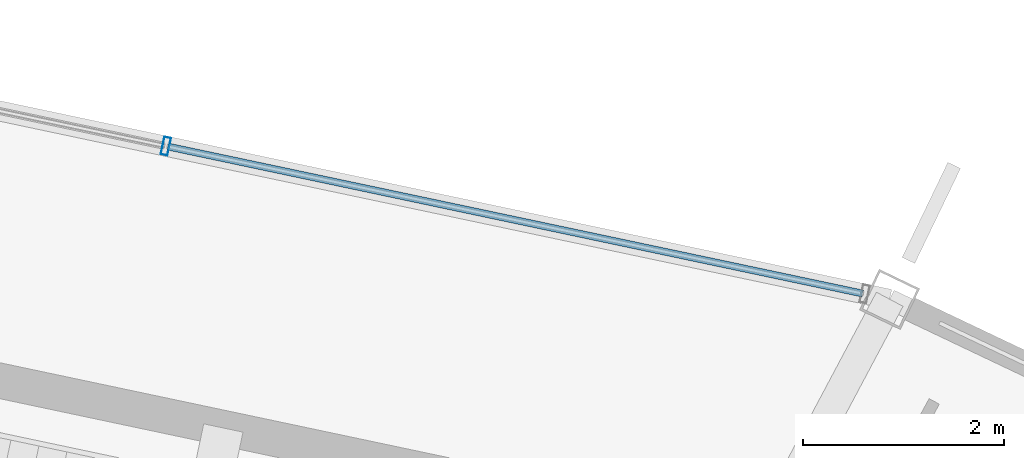
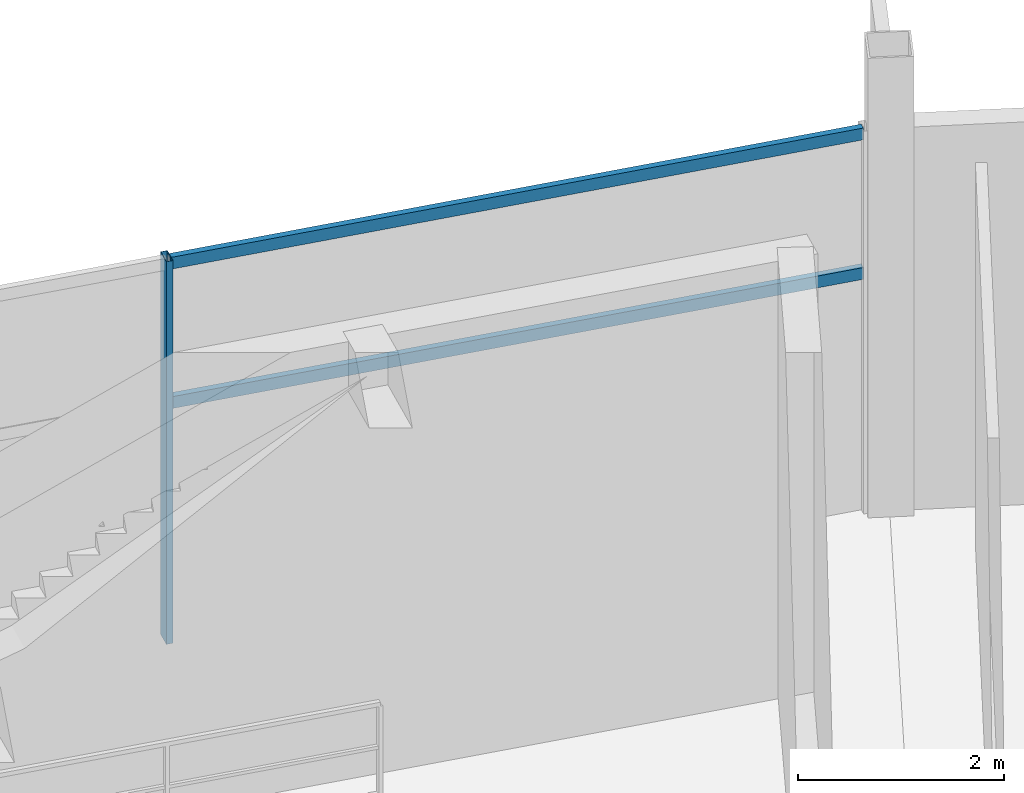
# One storey, part 119 of 186: 3 members, 1 element without a shape of its own.
"""IFC4 building model written with IfcOpenShell, lengths in metres."""

from ifc_helpers import new_model, si_unit, direction, frame, origin, origin_2d, place, context, subcontext, project, spatial, hollow_rectangle, extrude, material, layer, layer_set, material_profile, profile_set, type_object, element, aggregate, save


model = new_model("IFC4")

# Units and contexts
model_context = context("Model", 3, precision=1e-05, world=origin(), true_north=direction((0.0, 1.0)))
body_context = subcontext(model_context, "Body", "Model", "MODEL_VIEW")
ifc_project = project(units=[si_unit("LENGTHUNIT", "METRE"), si_unit("AREAUNIT", "SQUARE_METRE"), si_unit("VOLUMEUNIT", "CUBIC_METRE"), si_unit("PLANEANGLEUNIT", "RADIAN"), si_unit("MASSUNIT", "GRAM", prefix="KILO")], contexts=[model_context])

# Site, building, storey
site_placement = place(None, origin())
site = spatial("IfcSite", under=ifc_project, at=site_placement, CompositionType="ELEMENT")
building_placement = place(site_placement, origin())
building = spatial("IfcBuilding", under=site, at=building_placement, Name="Kazemori Nagisa Stadium", CompositionType="ELEMENT")
storey_placement = place(building_placement, frame((0.0, 0.0, 20.39990234375)))
storey = spatial("IfcBuildingStorey", under=building, at=storey_placement, Name="L04", CompositionType="ELEMENT", Elevation=20.39990234375)

# Curtain wall, members
ifc_material_1 = material(Name="Anodised aluminium 6063-T5", Category="aluminium")
ifc_layer = layer(ifc_material_1, 0.179931640625, Name="Anodised aluminium 6063-T5", Category="aluminium")
ifc_layer_set = layer_set([ifc_layer], Name="Anodised aluminium 6063-T5")
curtain_wall_type = type_object("IfcCurtainWallType", Name="CW_L04R3_107", PredefinedType="USERDEFINED", material=ifc_layer_set)
curtain_wall_placement = place(storey_placement, origin())
curtain_wall = element("IfcCurtainWall", 1, at=curtain_wall_placement, inside=storey, type_object=curtain_wall_type, Name="Unitised curtain wall CW-L04R3-107 L04", ObjectType="UNITISED CURTAIN WALL", PredefinedType="USERDEFINED")
ifc_material_2 = material(Name="Aluminium 6063-T5 anodised", Category="aluminium")
ifc_material_profile_1 = material_profile(ifc_material_2, hollow_rectangle(XDim=0.070068359375, YDim=0.179931640625, WallThickness=0.00390625, at=origin_2d()), Name="ALU-MULL-70x180x4")
ifc_profile_set_1 = profile_set([ifc_material_profile_1], Name="Aluminium 6063-T5 anodised")
member_type_1 = type_object("IfcMemberType", Name="Mullion_M01", PredefinedType="MULLION", material=ifc_profile_set_1)
member_1_placement = place(storey_placement, frame((158.595947265625, 183.9892578125, 0.0), z_axis=(0.0, 0.0, 1.0), x_axis=(-0.978344955407, 0.206981033502, 0.0)))
member_1 = element("IfcMember", 2, at=member_1_placement, type_object=member_type_1, Name="Curtain wall mullion CW-L04R3-107-M2", PredefinedType="MULLION", context=body_context, shape_type="SweptSolid", body=[
    extrude(hollow_rectangle(XDim=0.070068359375, YDim=0.179931640625, WallThickness=0.00390625, at=origin_2d()), origin(), (0.0, 0.0, 1.0), 4.530029296875),
])
ifc_material_profile_2 = material_profile(ifc_material_2, hollow_rectangle(XDim=0.070068359375, YDim=0.139892578125, WallThickness=0.00390625, at=origin_2d()), Name="ALU-TRAN-70x140x4")
ifc_profile_set_2 = profile_set([ifc_material_profile_2], Name="Aluminium 6063-T5 anodised")
member_type_2 = type_object("IfcMemberType", Name="Transom_T01", PredefinedType="USERDEFINED", material=ifc_profile_set_2)
member_2_placement = place(storey_placement, frame((165.53564453125, 182.521240234375, 2.80859375), z_axis=(-0.97834311718, 0.206989722128, 0.0), x_axis=(-0.206989722128, -0.97834311718, 0.0)))
member_2 = element("IfcMember", 3, at=member_2_placement, type_object=member_type_2, Name="Curtain wall transom CW-L04R3-107-T1-mid", ObjectType="TRANSOM", PredefinedType="USERDEFINED", context=body_context, shape_type="SweptSolid", body=[
    extrude(hollow_rectangle(XDim=0.070068359375, YDim=0.139892578125, WallThickness=0.00390625, at=origin_2d()), origin(), (0.0, 0.0, 1.0), 7.0732421875),
])
member_3_placement = place(storey_placement, frame((165.53564453125, 182.521240234375, 4.460205078125), z_axis=(-0.97834311718, 0.206989722128, 0.0), x_axis=(-0.206989722128, -0.97834311718, 0.0)))
member_3 = element("IfcMember", 4, at=member_3_placement, type_object=member_type_2, Name="Curtain wall transom CW-L04R3-107-T1-head", ObjectType="TRANSOM", PredefinedType="USERDEFINED", context=body_context, shape_type="SweptSolid", body=[
    extrude(hollow_rectangle(XDim=0.070068359375, YDim=0.139892578125, WallThickness=0.00390625, at=origin_2d()), origin(), (0.0, 0.0, 1.0), 7.0732421875),
])
aggregate(curtain_wall, [member_1, member_2, member_3])

save(model, "model.ifc")
